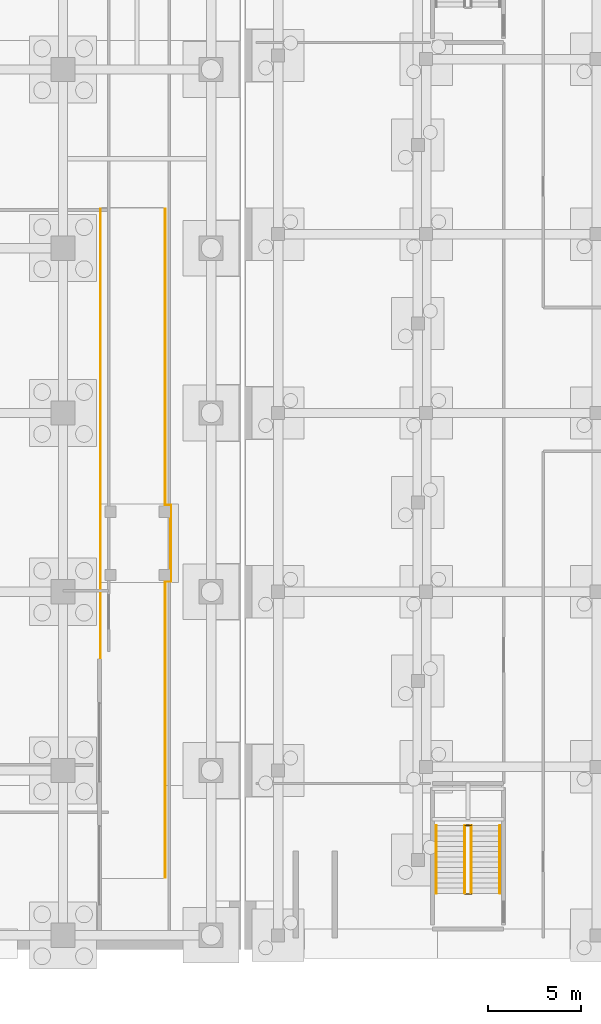
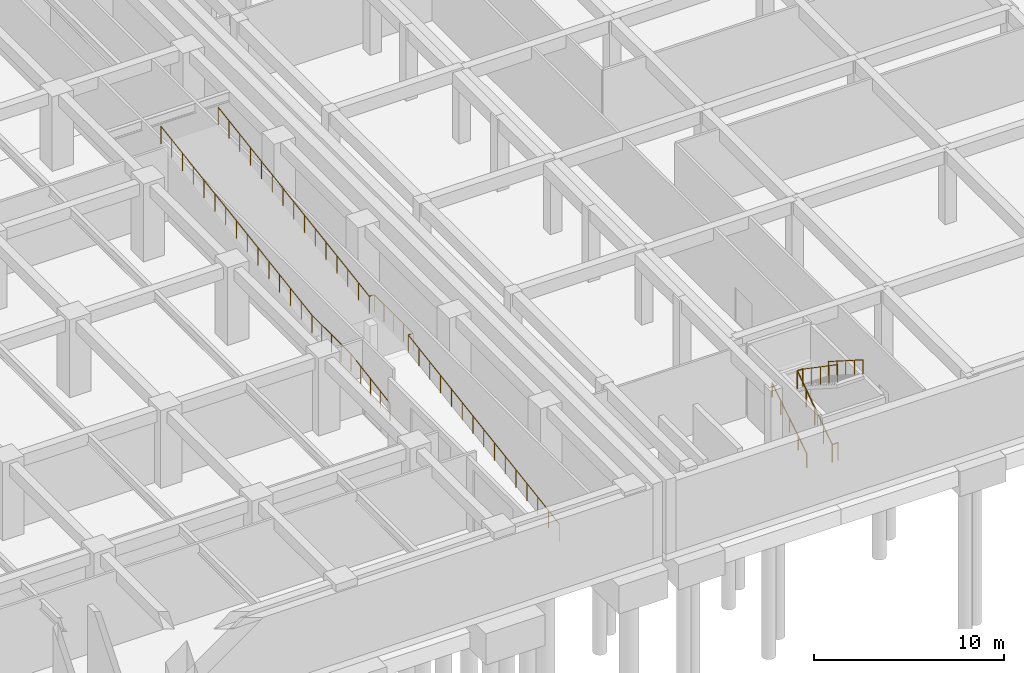
# One storey, part 17 of 20: 8 railings.
"""IFC4 building model written with IfcOpenShell, lengths in metres."""

from ifc_helpers import new_model, si_unit, direction, frame, origin, origin_2d, place, context, subcontext, project, spatial, circle, extrude, material, type_object, element, save


model = new_model("IFC4")

# Units and contexts
model_context = context("Model", 3, precision=1e-05, world=origin(), true_north=direction((0.0, 1.0)))
body_context = subcontext(model_context, "Body", "Model", "MODEL_VIEW")
ifc_project = project(units=[si_unit("LENGTHUNIT", "METRE"), si_unit("AREAUNIT", "SQUARE_METRE"), si_unit("VOLUMEUNIT", "CUBIC_METRE"), si_unit("PLANEANGLEUNIT", "RADIAN"), si_unit("MASSUNIT", "GRAM", prefix="KILO")], contexts=[model_context])

# Site, building, storey
site_placement = place(None, origin())
site = spatial("IfcSite", under=ifc_project, at=site_placement, CompositionType="ELEMENT")
building_placement = place(site_placement, origin())
building = spatial("IfcBuilding", under=site, at=building_placement, Name="Norrvale University Quadrangle", CompositionType="ELEMENT")
storey_placement = place(building_placement, frame((0.0, 0.0, -5.0)))
storey = spatial("IfcBuildingStorey", under=building, at=storey_placement, Name="B01", CompositionType="ELEMENT", Elevation=-5.0)

# Railings
ifc_material_1 = material(Name="Steel 350W Painted Balustrade", Category="steel")
railing_type_1 = type_object("IfcRailingType", Name="Railing Stair Guard 1100", PredefinedType="GUARDRAIL", material=ifc_material_1)
for number, where, name in (
    (1, (88.030029296875, 2.969970703125, 0.0), "Stair Floor Well Guard ST-L2 B01"),
    (2, (88.030029296875, 6.669921875, 2.5), "Stair Mid-Landing Slot Guard ST-L2 B01"),
):
    element("IfcRailing", number, at=place(storey_placement, frame(where)), inside=storey, type_object=railing_type_1, Name=name, PredefinedType="GUARDRAIL", context=body_context, shape_type="SweptSolid", body=[
        extrude(circle(Radius=0.02392578125, at=origin_2d()), frame((0.0, 0.0, 1.1259765625), z_axis=(1.0, 0.0, 0.0), x_axis=(0.0, 1.0, 0.0)), (0.0, 0.0, 1.0), 0.340087890625),
        extrude(circle(Radius=0.02099609375, at=origin_2d()), origin(), (0.0, 0.0, 1.0), 1.101806640625),
        extrude(circle(Radius=0.02099609375, at=origin_2d()), frame((0.340087890625, 0.0, 0.0)), (0.0, 0.0, 1.0), 1.101806640625),
    ])
railing_1_placement = place(storey_placement, frame((88.030029296875, 3.0, 0.0)))
element("IfcRailing", 3, at=railing_1_placement, inside=storey, type_object=railing_type_1, Name="Stair Lower Flight Inner Guard ST-L2 B01", PredefinedType="GUARDRAIL", context=body_context, shape_type="SweptSolid", body=[
    extrude(circle(Radius=0.02392578125, at=origin_2d()), frame((0.0, 0.0, 1.1259765625), z_axis=(0.0, 0.824298337968, 0.566155676491), x_axis=(-1.0, 0.0, 0.0)), (0.0, 0.0, 1.0), 4.415771484375),
    extrude(circle(Radius=0.02099609375, at=origin_2d()), origin(), (0.0, 0.0, 1.0), 1.101806640625),
    extrude(circle(Radius=0.02099609375, at=origin_2d()), frame((0.0, 0.909912109375, 0.625)), (0.0, 0.0, 1.0), 1.101806640625),
    extrude(circle(Radius=0.02099609375, at=origin_2d()), frame((0.0, 1.81982421875, 1.25)), (0.0, 0.0, 1.0), 1.101806640625),
    extrude(circle(Radius=0.02099609375, at=origin_2d()), frame((0.0, 2.72998046875, 1.875)), (0.0, 0.0, 1.0), 1.101806640625),
    extrude(circle(Radius=0.02099609375, at=origin_2d()), frame((0.0, 3.639892578125, 2.5)), (0.0, 0.0, 1.0), 1.101806640625),
])
railing_2_placement = place(storey_placement, frame((88.3701171875, 6.639892578125, 2.5)))
element("IfcRailing", 4, at=railing_2_placement, inside=storey, type_object=railing_type_1, Name="Stair Upper Flight Inner Guard ST-L2 B01", PredefinedType="GUARDRAIL", context=body_context, shape_type="SweptSolid", body=[
    extrude(circle(Radius=0.02392578125, at=origin_2d()), frame((0.0, 0.0, 1.1259765625), z_axis=(0.0, -0.824298337968, 0.566155676491), x_axis=(1.0, 0.0, 0.0)), (0.0, 0.0, 1.0), 4.415771484375),
    extrude(circle(Radius=0.02099609375, at=origin_2d()), origin(), (0.0, 0.0, 1.0), 1.101806640625),
    extrude(circle(Radius=0.02099609375, at=origin_2d()), frame((0.0, -0.909912109375, 0.625)), (0.0, 0.0, 1.0), 1.101806640625),
    extrude(circle(Radius=0.02099609375, at=origin_2d()), frame((0.0, -1.81982421875, 1.25)), (0.0, 0.0, 1.0), 1.101806640625),
    extrude(circle(Radius=0.02099609375, at=origin_2d()), frame((0.0, -2.72998046875, 1.875)), (0.0, 0.0, 1.0), 1.101806640625),
    extrude(circle(Radius=0.02099609375, at=origin_2d()), frame((0.0, -3.639892578125, 2.5)), (0.0, 0.0, 1.0), 1.101806640625),
])
ifc_material_2 = material(Name="Stainless Steel 316L Handrail", Category="steel")
railing_type_2 = type_object("IfcRailingType", Name="Railing Stair Handrail 920", PredefinedType="HANDRAIL", material=ifc_material_2)
railing_3_placement = place(storey_placement, frame((86.489990234375, 3.0, 0.1787109375)))
element("IfcRailing", 5, at=railing_3_placement, inside=storey, type_object=railing_type_2, Name="Stair Lower Flight Handrail ST-L2 B01", PredefinedType="HANDRAIL", context=body_context, shape_type="SweptSolid", body=[
    extrude(circle(Radius=0.02392578125, at=origin_2d()), frame((0.0, 0.0, 0.89599609375), z_axis=(0.0, 0.843137146238, 0.537698570422), x_axis=(-1.0, 0.0, 0.0)), (0.0, 0.0, 1.0), 4.317138671875),
    extrude(circle(Radius=0.02099609375, at=origin_2d()), origin(), (0.0, 0.0, 1.0), 0.871826171875),
    extrude(circle(Radius=0.02099609375, at=origin_2d()), frame((0.0, 0.909912109375, 0.580322265625)), (0.0, 0.0, 1.0), 0.871826171875),
    extrude(circle(Radius=0.02099609375, at=origin_2d()), frame((0.0, 1.81982421875, 1.16064453125)), (0.0, 0.0, 1.0), 0.871826171875),
    extrude(circle(Radius=0.02099609375, at=origin_2d()), frame((0.0, 2.72998046875, 1.740966796875)), (0.0, 0.0, 1.0), 0.871826171875),
    extrude(circle(Radius=0.02099609375, at=origin_2d()), frame((0.0, 3.639892578125, 2.3212890625)), (0.0, 0.0, 1.0), 0.871826171875),
])
railing_4_placement = place(storey_placement, frame((89.909912109375, 6.639892578125, 2.6787109375)))
element("IfcRailing", 6, at=railing_4_placement, inside=storey, type_object=railing_type_2, Name="Stair Upper Flight Handrail ST-L2 B01", PredefinedType="HANDRAIL", context=body_context, shape_type="SweptSolid", body=[
    extrude(circle(Radius=0.02392578125, at=origin_2d()), frame((0.0, 0.0, 0.89599609375), z_axis=(0.0, -0.843137146238, 0.537698570422), x_axis=(1.0, 0.0, 0.0)), (0.0, 0.0, 1.0), 4.317138671875),
    extrude(circle(Radius=0.02099609375, at=origin_2d()), origin(), (0.0, 0.0, 1.0), 0.871826171875),
    extrude(circle(Radius=0.02099609375, at=origin_2d()), frame((0.0, -0.909912109375, 0.580322265625)), (0.0, 0.0, 1.0), 0.871826171875),
    extrude(circle(Radius=0.02099609375, at=origin_2d()), frame((0.0, -1.81982421875, 1.16064453125)), (0.0, 0.0, 1.0), 0.871826171875),
    extrude(circle(Radius=0.02099609375, at=origin_2d()), frame((0.0, -2.72998046875, 1.740966796875)), (0.0, 0.0, 1.0), 0.871826171875),
    extrude(circle(Radius=0.02099609375, at=origin_2d()), frame((0.0, -3.639892578125, 2.3212890625)), (0.0, 0.0, 1.0), 0.871826171875),
])
ifc_material_3 = material(Name="Stainless Steel 316L Balustrade", Category="steel")
railing_type_3 = type_object("IfcRailingType", Name="Railing Terrace Guard 1150", PredefinedType="BALUSTRADE", material=ifc_material_3)
railing_5_placement = place(storey_placement, frame((68.4599609375, 15.64990234375, 1.820068359375)))
element("IfcRailing", 7, at=railing_5_placement, inside=storey, type_object=railing_type_3, Name="Service Ramp West Flight Guardrail", PredefinedType="BALUSTRADE", context=body_context, shape_type="SweptSolid", body=[
    extrude(circle(Radius=0.02392578125, at=origin_2d()), frame((0.0, 0.0, 1.1259765625), z_axis=(0.0, 0.986526961362, 0.163598760712), x_axis=(-1.0, 0.0, 0.0)), (0.0, 0.0, 1.0), 4.156005859375),
    extrude(circle(Radius=0.02392578125, at=origin_2d()), frame((0.0, 4.10009765625, 1.8056640625), z_axis=(0.0, 1.0, 0.0), x_axis=(-1.0, 0.0, 0.0)), (0.0, 0.0, 1.0), 4.10009765625),
    extrude(circle(Radius=0.02392578125, at=origin_2d()), frame((0.0, 8.2001953125, 1.8056640625), z_axis=(0.0, 0.987863363843, 0.155325382271), x_axis=(-1.0, 0.0, 0.0)), (0.0, 0.0, 1.0), 16.09521484375),
    extrude(circle(Radius=0.02099609375, at=origin_2d()), origin(), (0.0, 0.0, 1.0), 1.101806640625),
    extrude(circle(Radius=0.02099609375, at=origin_2d()), frame((0.0, 1.02490234375, 0.169921875)), (0.0, 0.0, 1.0), 1.101806640625),
    extrude(circle(Radius=0.02099609375, at=origin_2d()), frame((0.0, 2.050048828125, 0.33984375)), (0.0, 0.0, 1.0), 1.101806640625),
    extrude(circle(Radius=0.02099609375, at=origin_2d()), frame((0.0, 3.0751953125, 0.510009765625)), (0.0, 0.0, 1.0), 1.101806640625),
    extrude(circle(Radius=0.02099609375, at=origin_2d()), frame((0.0, 4.10009765625, 0.679931640625)), (0.0, 0.0, 1.0), 1.101806640625),
    extrude(circle(Radius=0.02099609375, at=origin_2d()), frame((0.0, 5.125, 0.679931640625)), (0.0, 0.0, 1.0), 1.101806640625),
    extrude(circle(Radius=0.02099609375, at=origin_2d()), frame((0.0, 6.150146484375, 0.679931640625)), (0.0, 0.0, 1.0), 1.101806640625),
    extrude(circle(Radius=0.02099609375, at=origin_2d()), frame((0.0, 7.17529296875, 0.679931640625)), (0.0, 0.0, 1.0), 1.101806640625),
    extrude(circle(Radius=0.02099609375, at=origin_2d()), frame((0.0, 8.2001953125, 0.679931640625)), (0.0, 0.0, 1.0), 1.101806640625),
    extrude(circle(Radius=0.02099609375, at=origin_2d()), frame((0.0, 9.3359375, 0.8583984375)), (0.0, 0.0, 1.0), 1.101806640625),
    extrude(circle(Radius=0.02099609375, at=origin_2d()), frame((0.0, 10.4716796875, 1.037109375)), (0.0, 0.0, 1.0), 1.101806640625),
    extrude(circle(Radius=0.02099609375, at=origin_2d()), frame((0.0, 11.607421875, 1.215576171875)), (0.0, 0.0, 1.0), 1.101806640625),
    extrude(circle(Radius=0.02099609375, at=origin_2d()), frame((0.0, 12.742919921875, 1.394287109375)), (0.0, 0.0, 1.0), 1.101806640625),
    extrude(circle(Radius=0.02099609375, at=origin_2d()), frame((0.0, 13.878662109375, 1.57275390625)), (0.0, 0.0, 1.0), 1.101806640625),
    extrude(circle(Radius=0.02099609375, at=origin_2d()), frame((0.0, 15.014404296875, 1.75146484375)), (0.0, 0.0, 1.0), 1.101806640625),
    extrude(circle(Radius=0.02099609375, at=origin_2d()), frame((0.0, 16.150146484375, 1.929931640625)), (0.0, 0.0, 1.0), 1.101806640625),
    extrude(circle(Radius=0.02099609375, at=origin_2d()), frame((0.0, 17.285888671875, 2.1083984375)), (0.0, 0.0, 1.0), 1.101806640625),
    extrude(circle(Radius=0.02099609375, at=origin_2d()), frame((0.0, 18.421630859375, 2.287109375)), (0.0, 0.0, 1.0), 1.101806640625),
    extrude(circle(Radius=0.02099609375, at=origin_2d()), frame((0.0, 19.557373046875, 2.465576171875)), (0.0, 0.0, 1.0), 1.101806640625),
    extrude(circle(Radius=0.02099609375, at=origin_2d()), frame((0.0, 20.69287109375, 2.644287109375)), (0.0, 0.0, 1.0), 1.101806640625),
    extrude(circle(Radius=0.02099609375, at=origin_2d()), frame((0.0, 21.82861328125, 2.82275390625)), (0.0, 0.0, 1.0), 1.101806640625),
    extrude(circle(Radius=0.02099609375, at=origin_2d()), frame((0.0, 22.96435546875, 3.00146484375)), (0.0, 0.0, 1.0), 1.101806640625),
    extrude(circle(Radius=0.02099609375, at=origin_2d()), frame((0.0, 24.10009765625, 3.179931640625)), (0.0, 0.0, 1.0), 1.101806640625),
])
railing_6_placement = place(storey_placement, frame((71.93994140625, 3.85009765625, 0.0)))
element("IfcRailing", 8, at=railing_6_placement, inside=storey, type_object=railing_type_3, Name="Service Ramp East Flight Guardrail", PredefinedType="BALUSTRADE", context=body_context, shape_type="SweptSolid", body=[
    extrude(circle(Radius=0.02392578125, at=origin_2d()), frame((0.0, 0.0, 1.1259765625), z_axis=(0.0, 0.987863363843, 0.155325382271), x_axis=(-1.0, 0.0, 0.0)), (0.0, 0.0, 1.0), 16.09521484375),
    extrude(circle(Radius=0.02392578125, at=origin_2d()), frame((0.0, 15.89990234375, 3.6259765625), z_axis=(1.0, 0.0, 0.0), x_axis=(0.0, 1.0, 0.0)), (0.0, 0.0, 1.0), 0.300048828125),
    extrude(circle(Radius=0.02392578125, at=origin_2d()), frame((0.300048828125, 15.89990234375, 3.6259765625), z_axis=(0.0, 1.0, 0.0), x_axis=(-1.0, 0.0, 0.0)), (0.0, 0.0, 1.0), 4.10009765625),
    extrude(circle(Radius=0.02392578125, at=origin_2d()), frame((0.300048828125, 20.0, 3.6259765625), z_axis=(-1.0, 0.0, 0.0), x_axis=(0.0, -1.0, 0.0)), (0.0, 0.0, 1.0), 0.300048828125),
    extrude(circle(Radius=0.02392578125, at=origin_2d()), frame((0.0, 20.0, 3.6259765625), z_axis=(0.0, 0.987863363843, 0.155325382271), x_axis=(-1.0, 0.0, 0.0)), (0.0, 0.0, 1.0), 16.09521484375),
    extrude(circle(Radius=0.02099609375, at=origin_2d()), origin(), (0.0, 0.0, 1.0), 1.101806640625),
    extrude(circle(Radius=0.02099609375, at=origin_2d()), frame((0.0, 1.1357421875, 0.178466796875)), (0.0, 0.0, 1.0), 1.101806640625),
    extrude(circle(Radius=0.02099609375, at=origin_2d()), frame((0.0, 2.271484375, 0.357177734375)), (0.0, 0.0, 1.0), 1.101806640625),
    extrude(circle(Radius=0.02099609375, at=origin_2d()), frame((0.0, 3.4072265625, 0.53564453125)), (0.0, 0.0, 1.0), 1.101806640625),
    extrude(circle(Radius=0.02099609375, at=origin_2d()), frame((0.0, 4.542724609375, 0.71435546875)), (0.0, 0.0, 1.0), 1.101806640625),
    extrude(circle(Radius=0.02099609375, at=origin_2d()), frame((0.0, 5.678466796875, 0.892822265625)), (0.0, 0.0, 1.0), 1.101806640625),
    extrude(circle(Radius=0.02099609375, at=origin_2d()), frame((0.0, 6.814208984375, 1.071533203125)), (0.0, 0.0, 1.0), 1.101806640625),
    extrude(circle(Radius=0.02099609375, at=origin_2d()), frame((0.0, 7.949951171875, 1.25)), (0.0, 0.0, 1.0), 1.101806640625),
    extrude(circle(Radius=0.02099609375, at=origin_2d()), frame((0.0, 9.085693359375, 1.428466796875)), (0.0, 0.0, 1.0), 1.101806640625),
    extrude(circle(Radius=0.02099609375, at=origin_2d()), frame((0.0, 10.221435546875, 1.607177734375)), (0.0, 0.0, 1.0), 1.101806640625),
    extrude(circle(Radius=0.02099609375, at=origin_2d()), frame((0.0, 11.357177734375, 1.78564453125)), (0.0, 0.0, 1.0), 1.101806640625),
    extrude(circle(Radius=0.02099609375, at=origin_2d()), frame((0.0, 12.49267578125, 1.96435546875)), (0.0, 0.0, 1.0), 1.101806640625),
    extrude(circle(Radius=0.02099609375, at=origin_2d()), frame((0.0, 13.62841796875, 2.142822265625)), (0.0, 0.0, 1.0), 1.101806640625),
    extrude(circle(Radius=0.02099609375, at=origin_2d()), frame((0.0, 14.76416015625, 2.321533203125)), (0.0, 0.0, 1.0), 1.101806640625),
    extrude(circle(Radius=0.02099609375, at=origin_2d()), frame((0.0, 15.89990234375, 2.5)), (0.0, 0.0, 1.0), 1.101806640625),
    extrude(circle(Radius=0.02099609375, at=origin_2d()), frame((0.300048828125, 15.89990234375, 2.5)), (0.0, 0.0, 1.0), 1.101806640625),
    extrude(circle(Radius=0.02099609375, at=origin_2d()), frame((0.300048828125, 16.9248046875, 2.5)), (0.0, 0.0, 1.0), 1.101806640625),
    extrude(circle(Radius=0.02099609375, at=origin_2d()), frame((0.300048828125, 17.949951171875, 2.5)), (0.0, 0.0, 1.0), 1.101806640625),
    extrude(circle(Radius=0.02099609375, at=origin_2d()), frame((0.300048828125, 18.97509765625, 2.5)), (0.0, 0.0, 1.0), 1.101806640625),
    extrude(circle(Radius=0.02099609375, at=origin_2d()), frame((0.300048828125, 20.0, 2.5)), (0.0, 0.0, 1.0), 1.101806640625),
    extrude(circle(Radius=0.02099609375, at=origin_2d()), frame((0.0, 20.0, 2.5)), (0.0, 0.0, 1.0), 1.101806640625),
    extrude(circle(Radius=0.02099609375, at=origin_2d()), frame((0.0, 21.1357421875, 2.678466796875)), (0.0, 0.0, 1.0), 1.101806640625),
    extrude(circle(Radius=0.02099609375, at=origin_2d()), frame((0.0, 22.271484375, 2.857177734375)), (0.0, 0.0, 1.0), 1.101806640625),
    extrude(circle(Radius=0.02099609375, at=origin_2d()), frame((0.0, 23.4072265625, 3.03564453125)), (0.0, 0.0, 1.0), 1.101806640625),
    extrude(circle(Radius=0.02099609375, at=origin_2d()), frame((0.0, 24.542724609375, 3.21435546875)), (0.0, 0.0, 1.0), 1.101806640625),
    extrude(circle(Radius=0.02099609375, at=origin_2d()), frame((0.0, 25.678466796875, 3.392822265625)), (0.0, 0.0, 1.0), 1.101806640625),
    extrude(circle(Radius=0.02099609375, at=origin_2d()), frame((0.0, 26.814208984375, 3.571533203125)), (0.0, 0.0, 1.0), 1.101806640625),
    extrude(circle(Radius=0.02099609375, at=origin_2d()), frame((0.0, 27.949951171875, 3.75)), (0.0, 0.0, 1.0), 1.101806640625),
    extrude(circle(Radius=0.02099609375, at=origin_2d()), frame((0.0, 29.085693359375, 3.928466796875)), (0.0, 0.0, 1.0), 1.101806640625),
    extrude(circle(Radius=0.02099609375, at=origin_2d()), frame((0.0, 30.221435546875, 4.107177734375)), (0.0, 0.0, 1.0), 1.101806640625),
    extrude(circle(Radius=0.02099609375, at=origin_2d()), frame((0.0, 31.357177734375, 4.28564453125)), (0.0, 0.0, 1.0), 1.101806640625),
    extrude(circle(Radius=0.02099609375, at=origin_2d()), frame((0.0, 32.49267578125, 4.46435546875)), (0.0, 0.0, 1.0), 1.101806640625),
    extrude(circle(Radius=0.02099609375, at=origin_2d()), frame((0.0, 33.62841796875, 4.642822265625)), (0.0, 0.0, 1.0), 1.101806640625),
    extrude(circle(Radius=0.02099609375, at=origin_2d()), frame((0.0, 34.76416015625, 4.821533203125)), (0.0, 0.0, 1.0), 1.101806640625),
    extrude(circle(Radius=0.02099609375, at=origin_2d()), frame((0.0, 35.89990234375, 5.0)), (0.0, 0.0, 1.0), 1.101806640625),
])

save(model, "model.ifc")
